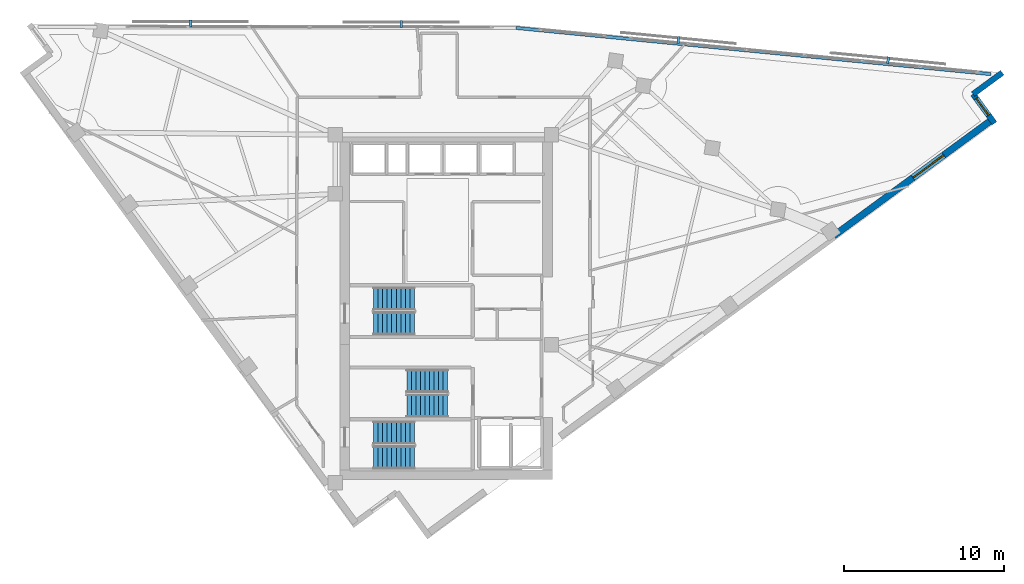
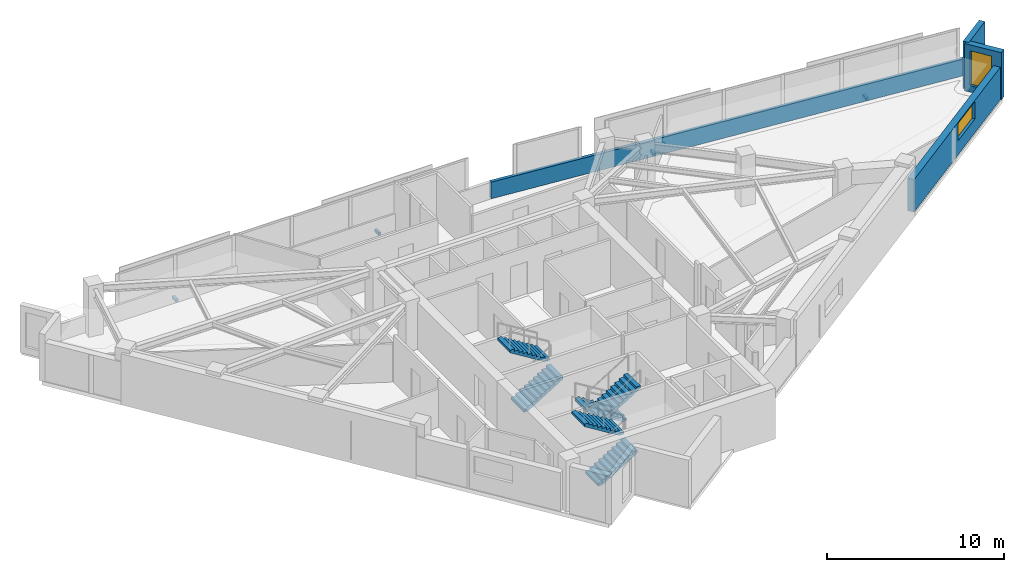
# One storey, part 11 of 13: 6 stair flights, 4 discrete accessories, 4 walls, 2 windows, 2 openings, 3 elements without a shape of their own.
"""IFC4 building model written with IfcOpenShell, lengths in metres."""

from ifc_helpers import new_model, si_unit, direction, frame, frame_2d, origin, origin_2d, place, context, subcontext, project, spatial, polyline, rectangle, outline, extrude, material, layer, layer_set, type_object, element, fill, aggregate, save


model = new_model("IFC4")

# Units and contexts
model_context = context("Model", 3, precision=1e-05, world=origin(), true_north=direction((0.0, 1.0)))
body_context = subcontext(model_context, "Body", "Model", "MODEL_VIEW")
ifc_project = project(units=[si_unit("LENGTHUNIT", "METRE"), si_unit("AREAUNIT", "SQUARE_METRE"), si_unit("VOLUMEUNIT", "CUBIC_METRE"), si_unit("PLANEANGLEUNIT", "RADIAN"), si_unit("MASSUNIT", "GRAM", prefix="KILO")], contexts=[model_context])

# Site, building, storey
site_placement = place(None, origin())
site = spatial("IfcSite", under=ifc_project, at=site_placement, CompositionType="ELEMENT")
building_placement = place(site_placement, origin())
building = spatial("IfcBuilding", under=site, at=building_placement, Name="Narakoshi Arena Tower", CompositionType="ELEMENT")
storey_placement = place(building_placement, frame((0.0, 0.0, 257.219970703125)))
storey = spatial("IfcBuildingStorey", under=building, at=storey_placement, Name="L70", CompositionType="ELEMENT", Elevation=257.219970703125)

# Wall
ifc_material_1 = material(Name="Precast concrete C45/55", Category="concrete")
ifc_layer_1 = layer(ifc_material_1, 0.25)
ifc_layer_set_1 = layer_set([ifc_layer_1], Name="Precast concrete C45/55")
wall_type_1 = type_object("IfcWallType", Name="WL-PARA-250", PredefinedType="PARAPET", material=ifc_layer_set_1)
wall_1_placement = place(storey_placement, frame((113.093505859375, 60.296630859375, 0.0), z_axis=(0.0, 0.0, 1.0), x_axis=(-0.995299069493, 0.096849172769, 0.0)))
element("IfcWall", 1, at=wall_1_placement, inside=storey, type_object=wall_type_1, Name="L70 Hypotenuse Sill Upstand Parapet 1-01", PredefinedType="PARAPET", context=body_context, shape_type="SweptSolid", body=[
    extrude(rectangle(XDim=29.917236328125, YDim=0.199951171875, at=frame_2d((14.95849609375, 0.0))), origin(), (0.0, 0.0, 1.0), 1.150146484375),
])

# Wall, opening, window
ifc_layer_2 = layer(ifc_material_1, 0.419921875)
ifc_layer_set_2 = layer_set([ifc_layer_2], Name="Precast concrete C45/55")
wall_type_2 = type_object("IfcWallType", Name="WL-POD-420", PredefinedType="SOLIDWALL", material=ifc_layer_set_2)
wall_2_placement = place(storey_placement, frame((103.236572265625, 50.17529296875, 0.0), z_axis=(0.0, 0.0, 1.0), x_axis=(0.80643721533, 0.591319725471, 0.0)))
wall_2 = element("IfcWall", 2, at=wall_2_placement, inside=storey, type_object=wall_type_2, Name="L70 Architectural Concrete Facade Wall LEGA-4", PredefinedType="SOLIDWALL", context=body_context, shape_type="SweptSolid", body=[
    extrude(rectangle(XDim=12.285400390625, YDim=0.419921875, at=frame_2d((6.142578125, 0.0))), origin(), (0.0, 0.0, 1.0), 2.2451171875),
])
opening_1_placement = place(wall_2_placement, frame((6.143310546875, 0.0, 0.965087890625)))
opening_1 = element("IfcOpeningElement", 3, at=opening_1_placement, cuts=wall_2, Name="Opening WN-04", PredefinedType="OPENING", context=body_context, shape_type="SweptSolid", body=[
    extrude(rectangle(XDim=2.39990234375, YDim=1.199951171875, at=frame_2d((1.199951171875, 0.60009765625))), frame((0.0, 0.219970703125, 0.0), z_axis=(0.0, -1.0, 0.0), x_axis=(1.0, 0.0, 0.0)), (0.0, 0.0, 1.0), 0.43994140625),
])
ifc_material_2 = material(Name="Bronze-tinted low-E laminated glass", Category="glass")
window_type_1 = type_object("IfcWindowType", Name="WIN-SLT-24x12", PartitioningType="SINGLE_PANEL", PredefinedType="WINDOW", material=ifc_material_2)
window_1_placement = place(opening_1_placement, origin())
window_1 = element("IfcWindow", 4, at=window_1_placement, inside=storey, type_object=window_type_1, Name="L70 LEGA4 Horizontal Slot Window 1", OverallHeight=1.199951171875, OverallWidth=2.39990234375, PartitioningType="SINGLE_PANEL", PredefinedType="WINDOW", context=body_context, shape_type="SweptSolid", body=[
    extrude(rectangle(XDim=2.39990234375, YDim=1.199951171875, at=frame_2d((1.199951171875, 0.60009765625))), frame((0.0, 0.030029296875, 0.0), z_axis=(0.0, -1.0, 0.0), x_axis=(1.0, 0.0, 0.0)), (0.0, 0.0, 1.0), 0.06005859375),
])
fill(opening_1, window_1)

wall_3_placement = place(storey_placement, frame((113.306640625, 57.218017578125, 0.0), z_axis=(0.0, 0.0, 1.0), x_axis=(-0.591251685745, 0.806487101015, 0.0)))
wall_3 = element("IfcWall", 5, at=wall_3_placement, inside=storey, type_object=wall_type_2, Name="L70 Re-Entrant Corner Notch Wall NTE-1", PredefinedType="SOLIDWALL", context=body_context, shape_type="SweptSolid", body=[
    extrude(rectangle(XDim=2.2685546875, YDim=0.360107421875, at=frame_2d((1.13427734375, 0.0))), origin(), (0.0, 0.0, 1.0), 3.260009765625),
])
opening_2_placement = place(wall_3_placement, frame((0.628662109375, 0.0, 0.449951171875)))
opening_2 = element("IfcOpeningElement", 6, at=opening_2_placement, cuts=wall_3, Name="Opening WN-06", PredefinedType="OPENING", context=body_context, shape_type="SweptSolid", body=[
    extrude(rectangle(XDim=1.300048828125, YDim=2.39990234375, at=frame_2d((0.64990234375, 1.199951171875))), frame((0.0, 0.18994140625, 0.0), z_axis=(0.0, -1.0, 0.0), x_axis=(1.0, 0.0, 0.0)), (0.0, 0.0, 1.0), 0.380126953125),
])
window_type_2 = type_object("IfcWindowType", Name="WIN-NTC-16x24", PartitioningType="SINGLE_PANEL", PredefinedType="WINDOW", material=ifc_material_2)
window_2_placement = place(opening_2_placement, origin())
window_2 = element("IfcWindow", 7, at=window_2_placement, inside=storey, type_object=window_type_2, Name="L70 Corner Notch Window NTE", OverallHeight=2.39990234375, OverallWidth=1.300048828125, PartitioningType="SINGLE_PANEL", PredefinedType="WINDOW", context=body_context, shape_type="SweptSolid", body=[
    extrude(rectangle(XDim=1.300048828125, YDim=2.39990234375, at=frame_2d((0.64990234375, 1.199951171875))), frame((0.0, 0.030029296875, 0.0), z_axis=(0.0, -1.0, 0.0), x_axis=(1.0, 0.0, 0.0)), (0.0, 0.0, 1.0), 0.06005859375),
])
fill(opening_2, window_2)

# Wall
wall_4_placement = place(storey_placement, frame((111.96533203125, 59.047607421875, 0.0), z_axis=(0.0, 0.0, 1.0), x_axis=(0.806435785153, 0.59132167593, 0.0)))
element("IfcWall", 8, at=wall_4_placement, inside=storey, type_object=wall_type_2, Name="L70 Re-Entrant Corner Notch Wall NTE-2", PredefinedType="SOLIDWALL", context=body_context, shape_type="SweptSolid", body=[
    extrude(rectangle(XDim=2.268798828125, YDim=0.360107421875, at=frame_2d((1.13427734375, 0.0))), origin(), (0.0, 0.0, 1.0), 3.260009765625),
])

# Stair, stair flights
ifc_material_3 = material(Name="Concrete C45/55", Category="concrete")
stair_type = type_object("IfcStairType", Name="STR-CORE-352", PredefinedType="TWO_STRAIGHT_RUN_STAIR", material=ifc_material_3)
stair_1_placement = place(storey_placement, origin())
stair_1 = element("IfcStair", 9, at=stair_1_placement, inside=storey, type_object=stair_type, Name="L70 Core Escape Stair ST1", PredefinedType="TWO_STRAIGHT_RUN_STAIR")
stair_flight_type = type_object("IfcStairFlightType", Name="FLT-145-160", PredefinedType="STRAIGHT", material=ifc_material_1)
stair_flight_1_placement = place(storey_placement, frame((74.39990234375, 36.27490234375, 0.0), z_axis=(0.0, 0.0, 1.0), x_axis=(1.0, 0.0, 0.0)))
stair_flight_1 = element("IfcStairFlight", 10, at=stair_flight_1_placement, type_object=stair_flight_type, Name="ST1 flight 1", NumberOfRisers=10, NumberOfTreads=9, PredefinedType="STRAIGHT", RiserHeight=0.176, TreadLength=0.285, context=body_context, shape_type="SweptSolid", body=[
    extrude(outline(polyline([(0.0, 0.0), (0.0, 0.176025390625), (0.284912109375, 0.176025390625), (0.284912109375, 0.35205078125), (0.570068359375, 0.35205078125), (0.570068359375, 0.528076171875), (0.85498046875, 0.528076171875), (0.85498046875, 0.7041015625), (1.139892578125, 0.7041015625), (1.139892578125, 0.8798828125), (1.425048828125, 0.8798828125), (1.425048828125, 1.055908203125), (1.7099609375, 1.055908203125), (1.7099609375, 1.23193359375), (1.9951171875, 1.23193359375), (1.9951171875, 1.407958984375), (2.280029296875, 1.407958984375), (2.280029296875, 1.583984375), (2.56494140625, 1.583984375), (2.56494140625, 1.760009765625), (2.56494140625, 1.40771484375), (0.285400390625, 0.0), (0.0, 0.0)])), frame((0.0, 0.72509765625, 0.0), z_axis=(0.0, -1.0, 0.0), x_axis=(1.0, 0.0, 0.0)), (0.0, 0.0, 1.0), 1.449951171875),
])
stair_flight_2_placement = place(storey_placement, frame((76.965087890625, 37.824951171875, 1.760009765625), z_axis=(0.0, 0.0, 1.0), x_axis=(-1.0, 0.0, 0.0)))
stair_flight_2 = element("IfcStairFlight", 11, at=stair_flight_2_placement, type_object=stair_flight_type, Name="ST1 flight 2", NumberOfRisers=10, NumberOfTreads=9, PredefinedType="STRAIGHT", RiserHeight=0.176, TreadLength=0.285, context=body_context, shape_type="SweptSolid", body=[
    extrude(outline(polyline([(0.0, 0.0), (0.0, 0.176025390625), (0.284912109375, 0.176025390625), (0.284912109375, 0.35205078125), (0.570068359375, 0.35205078125), (0.570068359375, 0.528076171875), (0.85498046875, 0.528076171875), (0.85498046875, 0.7041015625), (1.139892578125, 0.7041015625), (1.139892578125, 0.8798828125), (1.425048828125, 0.8798828125), (1.425048828125, 1.055908203125), (1.7099609375, 1.055908203125), (1.7099609375, 1.23193359375), (1.9951171875, 1.23193359375), (1.9951171875, 1.407958984375), (2.280029296875, 1.407958984375), (2.280029296875, 1.583984375), (2.56494140625, 1.583984375), (2.56494140625, 1.760009765625), (2.56494140625, 1.40771484375), (0.285400390625, 0.0), (0.0, 0.0)])), frame((0.0, 0.72509765625, 0.0), z_axis=(0.0, -1.0, 0.0), x_axis=(1.0, 0.0, 0.0)), (0.0, 0.0, 1.0), 1.449951171875),
])
aggregate(stair_1, [stair_flight_1, stair_flight_2])

stair_2_placement = place(storey_placement, origin())
stair_2 = element("IfcStair", 12, at=stair_2_placement, inside=storey, type_object=stair_type, Name="L70 Core Escape Stair ST2", PredefinedType="TWO_STRAIGHT_RUN_STAIR")
stair_flight_3_placement = place(storey_placement, frame((79.050048828125, 41.074951171875, 0.0), z_axis=(0.0, 0.0, 1.0), x_axis=(-1.0, 0.0, 0.0)))
stair_flight_3 = element("IfcStairFlight", 13, at=stair_flight_3_placement, type_object=stair_flight_type, Name="ST2 flight 1", NumberOfRisers=10, NumberOfTreads=9, PredefinedType="STRAIGHT", RiserHeight=0.176, TreadLength=0.285, context=body_context, shape_type="SweptSolid", body=[
    extrude(outline(polyline([(0.0, 0.0), (0.0, 0.176025390625), (0.284912109375, 0.176025390625), (0.284912109375, 0.35205078125), (0.570068359375, 0.35205078125), (0.570068359375, 0.528076171875), (0.85498046875, 0.528076171875), (0.85498046875, 0.7041015625), (1.139892578125, 0.7041015625), (1.139892578125, 0.8798828125), (1.425048828125, 0.8798828125), (1.425048828125, 1.055908203125), (1.7099609375, 1.055908203125), (1.7099609375, 1.23193359375), (1.9951171875, 1.23193359375), (1.9951171875, 1.407958984375), (2.280029296875, 1.407958984375), (2.280029296875, 1.583984375), (2.56494140625, 1.583984375), (2.56494140625, 1.760009765625), (2.56494140625, 1.40771484375), (0.285400390625, 0.0), (0.0, 0.0)])), frame((0.0, 0.72509765625, 0.0), z_axis=(0.0, -1.0, 0.0), x_axis=(1.0, 0.0, 0.0)), (0.0, 0.0, 1.0), 1.449951171875),
])
stair_flight_4_placement = place(storey_placement, frame((76.485107421875, 39.52490234375, 1.760009765625), z_axis=(0.0, 0.0, 1.0), x_axis=(1.0, 0.0, 0.0)))
stair_flight_4 = element("IfcStairFlight", 14, at=stair_flight_4_placement, type_object=stair_flight_type, Name="ST2 flight 2", NumberOfRisers=10, NumberOfTreads=9, PredefinedType="STRAIGHT", RiserHeight=0.176, TreadLength=0.285, context=body_context, shape_type="SweptSolid", body=[
    extrude(outline(polyline([(0.0, 0.0), (0.0, 0.176025390625), (0.284912109375, 0.176025390625), (0.284912109375, 0.35205078125), (0.570068359375, 0.35205078125), (0.570068359375, 0.528076171875), (0.85498046875, 0.528076171875), (0.85498046875, 0.7041015625), (1.139892578125, 0.7041015625), (1.139892578125, 0.8798828125), (1.425048828125, 0.8798828125), (1.425048828125, 1.055908203125), (1.7099609375, 1.055908203125), (1.7099609375, 1.23193359375), (1.9951171875, 1.23193359375), (1.9951171875, 1.407958984375), (2.280029296875, 1.407958984375), (2.280029296875, 1.583984375), (2.56494140625, 1.583984375), (2.56494140625, 1.760009765625), (2.56494140625, 1.40771484375), (0.285400390625, 0.0), (0.0, 0.0)])), frame((0.0, 0.72509765625, 0.0), z_axis=(0.0, -1.0, 0.0), x_axis=(1.0, 0.0, 0.0)), (0.0, 0.0, 1.0), 1.449951171875),
])
aggregate(stair_2, [stair_flight_3, stair_flight_4])

stair_3_placement = place(storey_placement, origin())
stair_3 = element("IfcStair", 15, at=stair_3_placement, inside=storey, type_object=stair_type, Name="L70 Core Escape Stair ST3", PredefinedType="TWO_STRAIGHT_RUN_STAIR")
stair_flight_5_placement = place(storey_placement, frame((74.39990234375, 44.675048828125, 0.0), z_axis=(0.0, 0.0, 1.0), x_axis=(1.0, 0.0, 0.0)))
stair_flight_5 = element("IfcStairFlight", 16, at=stair_flight_5_placement, type_object=stair_flight_type, Name="ST3 flight 1", NumberOfRisers=10, NumberOfTreads=9, PredefinedType="STRAIGHT", RiserHeight=0.176, TreadLength=0.285, context=body_context, shape_type="SweptSolid", body=[
    extrude(outline(polyline([(0.0, 0.0), (0.0, 0.176025390625), (0.284912109375, 0.176025390625), (0.284912109375, 0.35205078125), (0.570068359375, 0.35205078125), (0.570068359375, 0.528076171875), (0.85498046875, 0.528076171875), (0.85498046875, 0.7041015625), (1.139892578125, 0.7041015625), (1.139892578125, 0.8798828125), (1.425048828125, 0.8798828125), (1.425048828125, 1.055908203125), (1.7099609375, 1.055908203125), (1.7099609375, 1.23193359375), (1.9951171875, 1.23193359375), (1.9951171875, 1.407958984375), (2.280029296875, 1.407958984375), (2.280029296875, 1.583984375), (2.56494140625, 1.583984375), (2.56494140625, 1.760009765625), (2.56494140625, 1.40771484375), (0.285400390625, 0.0), (0.0, 0.0)])), frame((0.0, 0.72509765625, 0.0), z_axis=(0.0, -1.0, 0.0), x_axis=(1.0, 0.0, 0.0)), (0.0, 0.0, 1.0), 1.449951171875),
])
stair_flight_6_placement = place(storey_placement, frame((76.965087890625, 46.22509765625, 1.760009765625), z_axis=(0.0, 0.0, 1.0), x_axis=(-1.0, 0.0, 0.0)))
stair_flight_6 = element("IfcStairFlight", 17, at=stair_flight_6_placement, type_object=stair_flight_type, Name="ST3 flight 2", NumberOfRisers=10, NumberOfTreads=9, PredefinedType="STRAIGHT", RiserHeight=0.176, TreadLength=0.285, context=body_context, shape_type="SweptSolid", body=[
    extrude(outline(polyline([(0.0, 0.0), (0.0, 0.176025390625), (0.284912109375, 0.176025390625), (0.284912109375, 0.35205078125), (0.570068359375, 0.35205078125), (0.570068359375, 0.528076171875), (0.85498046875, 0.528076171875), (0.85498046875, 0.7041015625), (1.139892578125, 0.7041015625), (1.139892578125, 0.8798828125), (1.425048828125, 0.8798828125), (1.425048828125, 1.055908203125), (1.7099609375, 1.055908203125), (1.7099609375, 1.23193359375), (1.9951171875, 1.23193359375), (1.9951171875, 1.407958984375), (2.280029296875, 1.407958984375), (2.280029296875, 1.583984375), (2.56494140625, 1.583984375), (2.56494140625, 1.760009765625), (2.56494140625, 1.40771484375), (0.285400390625, 0.0), (0.0, 0.0)])), frame((0.0, 0.72509765625, 0.0), z_axis=(0.0, -1.0, 0.0), x_axis=(1.0, 0.0, 0.0)), (0.0, 0.0, 1.0), 1.449951171875),
])
aggregate(stair_3, [stair_flight_5, stair_flight_6])

# Discrete accessories
ifc_material_4 = material(Name="Structural steel S355J2", Category="steel")
discrete_accessory_type = type_object("IfcDiscreteAccessoryType", Name="ACC-BRK-SCR", PredefinedType="BRACKET", material=ifc_material_4)
for number, where, z_axis, x_axis, name in (
    (18, (106.636474609375, 61.166015625, -0.080078125), (0.0, 0.0, 1.0), (-0.995298664587, 0.096853333819, 0.0), "L70 Solar Screen Support Bracket SHD-L70-SCR1-1"),
    (19, (93.498291015625, 62.444580078125, -0.080078125), (0.0, 0.0, 1.0), (-0.995298664587, 0.096853333819, 0.0), "L70 Solar Screen Support Bracket SHD-L70-SCR1-2"),
    (20, (76.1328125, 63.4462890625, -0.080078125), (0.0, 0.0, 1.0), (-0.999998352629, 0.001815141425, 0.0), "L70 Solar Screen Support Bracket SHD-L70-SCR2-1"),
    (21, (62.9326171875, 63.470458984375, -0.080078125), (0.0, 0.0, 1.0), (-0.999998352629, 0.001815141425, 0.0), "L70 Solar Screen Support Bracket SHD-L70-SCR2-2"),
):
    element("IfcDiscreteAccessory", number, at=place(storey_placement, frame(where, z_axis=z_axis, x_axis=x_axis)), inside=storey, type_object=discrete_accessory_type, Name=name, PredefinedType="BRACKET", context=body_context, shape_type="SweptSolid", body=[
        extrude(rectangle(XDim=0.159912109375, YDim=0.43994140625, at=origin_2d()), origin(), (0.0, 0.0, 1.0), 0.199951171875),
    ])

save(model, "model.ifc")
